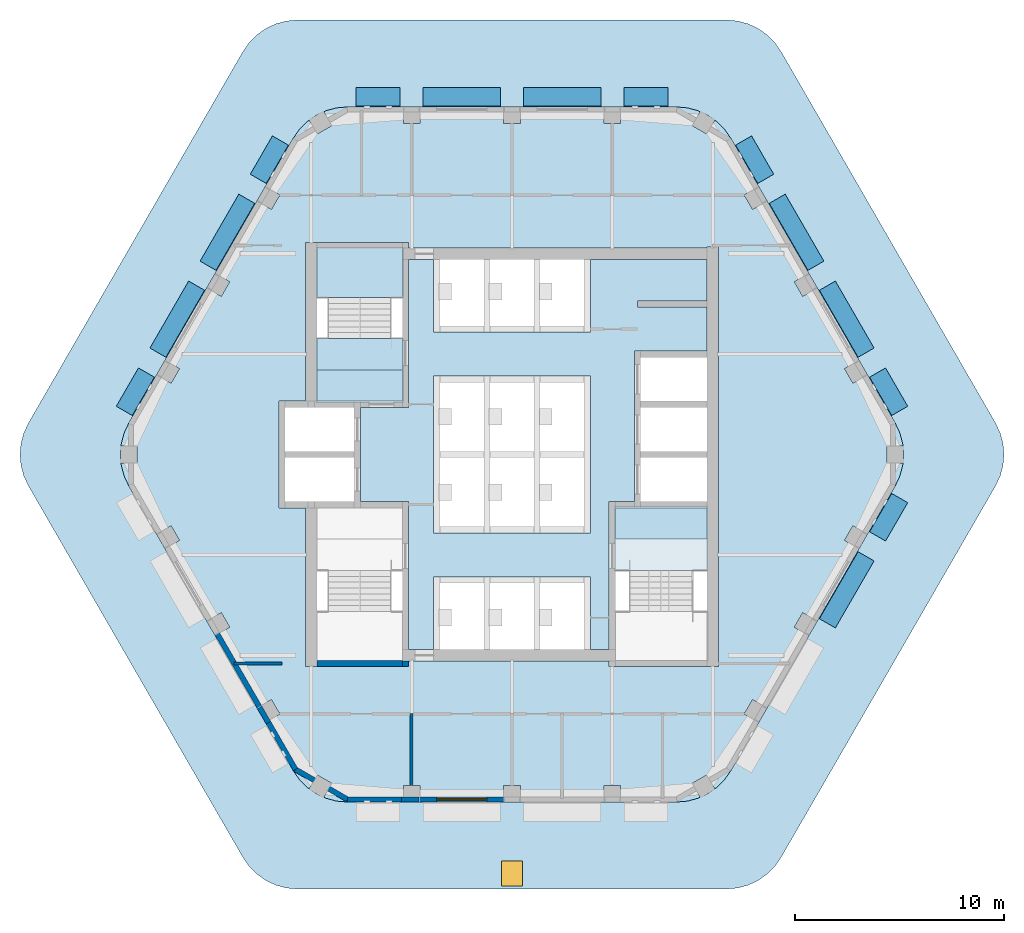
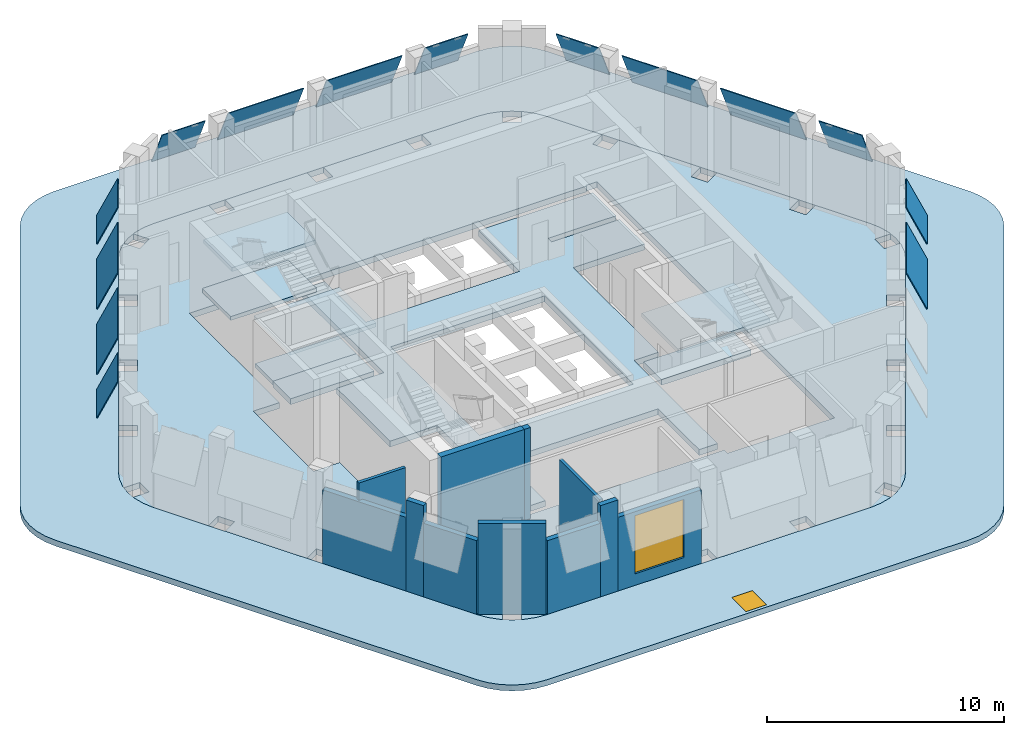
"""IFC4 building model written with IfcOpenShell, lengths in metres."""

from ifc_helpers import new_model, si_unit, direction, frame, frame_2d, origin, origin_2d, place, context, subcontext, project, spatial, polyline, rectangle, outline, extrude, material, layer, layer_set, type_object, element, fill, aggregate, save


model = new_model("IFC4")

# Units and contexts
model_context = context("Model", 3, precision=1e-05, world=origin(), true_north=direction((0.0, 1.0)))
body_context = subcontext(model_context, "Body", "Model", "MODEL_VIEW")
ifc_project = project(units=[si_unit("LENGTHUNIT", "METRE"), si_unit("AREAUNIT", "SQUARE_METRE"), si_unit("VOLUMEUNIT", "CUBIC_METRE"), si_unit("PLANEANGLEUNIT", "RADIAN"), si_unit("MASSUNIT", "GRAM", prefix="KILO")], contexts=[model_context])

# Site, building, storey
site_placement = place(None, origin())
site = spatial("IfcSite", under=ifc_project, at=site_placement, CompositionType="ELEMENT")
building_placement = place(site_placement, origin())
building = spatial("IfcBuilding", under=site, at=building_placement, Name="Kolab Exchange Tower", CompositionType="ELEMENT")
storey_1_placement = place(building_placement, frame((0.0, 0.0, 296.89990234375)))
storey_1 = spatial("IfcBuildingStorey", under=building, at=storey_1_placement, Name="L67", CompositionType="ELEMENT", Elevation=296.89990234375)

# Slabs
ifc_material_1 = material(Name="Concrete C35/45", Category="concrete")
ifc_layer_1 = layer(ifc_material_1, 0.300048828125)
ifc_layer_set_1 = layer_set([ifc_layer_1], Name="Concrete C35/45")
slab_type_1 = type_object("IfcSlabType", Name="FLOOR SLAB 300", PredefinedType="FLOOR", material=ifc_layer_set_1)
slab_1_placement = place(storey_1_placement, frame((0.0, 0.0, -0.2998046875)))
element("IfcSlab", 1, at=slab_1_placement, inside=storey_1, type_object=slab_type_1, Name="slab/L67/floor/0", PredefinedType="FLOOR", context=body_context, shape_type="SweptSolid", body=[
    extrude(outline(polyline([(18.6904296875, -0.52099609375), (18.700927734375, -0.39990234375), (17.935791015625, -0.39990234375), (17.935791015625, 0.39990234375), (18.700927734375, 0.39990234375), (18.6904296875, 0.52099609375), (18.554931640625, 1.026123046875), (18.333984375, 1.5), (17.0, 3.810546875), (16.30712890625, 3.410400390625), (15.9072265625, 4.103271484375), (16.60009765625, 4.50341796875), (14.60009765625, 7.967529296875), (13.9072265625, 7.5673828125), (13.507080078125, 8.26025390625), (14.199951171875, 8.66015625), (12.199951171875, 12.124267578125), (11.507080078125, 11.724365234375), (11.107177734375, 12.417236328125), (11.800048828125, 12.817138671875), (10.466064453125, 15.127685546875), (10.166015625, 15.55615234375), (9.79638671875, 15.92578125), (9.69677734375, 15.995361328125), (9.314453125, 15.3330078125), (8.62158203125, 15.73291015625), (9.004150390625, 16.3955078125), (8.89404296875, 16.44677734375), (8.388916015625, 16.58203125), (7.867919921875, 16.627685546875), (5.199951171875, 16.627685546875), (5.199951171875, 15.82763671875), (4.39990234375, 15.82763671875), (4.39990234375, 16.627685546875), (0.39990234375, 16.627685546875), (0.39990234375, 15.82763671875), (-0.39990234375, 15.82763671875), (-0.39990234375, 16.627685546875), (-4.39990234375, 16.627685546875), (-4.39990234375, 15.82763671875), (-5.199951171875, 15.82763671875), (-5.199951171875, 16.627685546875), (-7.867919921875, 16.627685546875), (-8.388916015625, 16.58203125), (-8.89404296875, 16.44677734375), (-9.004150390625, 16.3955078125), (-8.62158203125, 15.73291015625), (-9.314453125, 15.3330078125), (-9.69677734375, 15.995361328125), (-9.79638671875, 15.92578125), (-10.166015625, 15.55615234375), (-10.466064453125, 15.127685546875), (-11.800048828125, 12.817138671875), (-11.107177734375, 12.417236328125), (-11.507080078125, 11.724365234375), (-12.199951171875, 12.124267578125), (-14.199951171875, 8.66015625), (-13.507080078125, 8.26025390625), (-13.9072265625, 7.5673828125), (-14.60009765625, 7.967529296875), (-16.60009765625, 4.50341796875), (-15.9072265625, 4.103271484375), (-16.30712890625, 3.410400390625), (-17.0, 3.810546875), (-18.333984375, 1.5), (-18.554931640625, 1.026123046875), (-18.6904296875, 0.52099609375), (-18.700927734375, 0.39990234375), (-17.935791015625, 0.39990234375), (-17.935791015625, -0.39990234375), (-18.700927734375, -0.39990234375), (-18.6904296875, -0.52099609375), (-18.554931640625, -1.026123046875), (-18.333984375, -1.5), (-17.0, -3.810546875), (-16.30712890625, -3.410400390625), (-15.9072265625, -4.103271484375), (-16.60009765625, -4.50341796875), (-14.60009765625, -7.967529296875), (-13.9072265625, -7.5673828125), (-13.507080078125, -8.26025390625), (-14.199951171875, -8.66015625), (-12.199951171875, -12.124267578125), (-11.507080078125, -11.724365234375), (-11.107177734375, -12.417236328125), (-11.800048828125, -12.817138671875), (-10.466064453125, -15.127685546875), (-10.166015625, -15.55615234375), (-9.79638671875, -15.92578125), (-9.69677734375, -15.995361328125), (-9.314453125, -15.3330078125), (-8.62158203125, -15.73291015625), (-9.004150390625, -16.3955078125), (-8.89404296875, -16.44677734375), (-8.388916015625, -16.58203125), (-7.867919921875, -16.627685546875), (-5.199951171875, -16.627685546875), (-5.199951171875, -15.82763671875), (-4.39990234375, -15.82763671875), (-4.39990234375, -16.627685546875), (-0.39990234375, -16.627685546875), (-0.39990234375, -15.82763671875), (0.39990234375, -15.82763671875), (0.39990234375, -16.627685546875), (4.39990234375, -16.627685546875), (4.39990234375, -15.82763671875), (5.199951171875, -15.82763671875), (5.199951171875, -16.627685546875), (7.867919921875, -16.627685546875), (8.388916015625, -16.58203125), (8.89404296875, -16.44677734375), (9.004150390625, -16.3955078125), (8.62158203125, -15.73291015625), (9.314453125, -15.3330078125), (9.69677734375, -15.995361328125), (9.79638671875, -15.92578125), (10.166015625, -15.55615234375), (10.466064453125, -15.127685546875), (11.800048828125, -12.817138671875), (11.107177734375, -12.417236328125), (11.507080078125, -11.724365234375), (12.199951171875, -12.124267578125), (14.199951171875, -8.66015625), (13.507080078125, -8.26025390625), (13.9072265625, -7.5673828125), (14.60009765625, -7.967529296875), (16.60009765625, -4.50341796875), (15.9072265625, -4.103271484375), (16.30712890625, -3.410400390625), (17.0, -3.810546875), (18.333984375, -1.5), (18.554931640625, -1.026123046875), (18.6904296875, -0.52099609375)]), holes=[polyline([(-9.875, -2.550048828125), (-10.85009765625, -2.550048828125), (-11.14990234375, -2.550048828125), (-11.14990234375, 2.550048828125), (-10.85009765625, 2.550048828125), (-9.875, 2.550048828125), (-9.875, 10.14990234375), (-9.324951171875, 10.14990234375), (-5.25, 10.14990234375), (-4.949951171875, 10.14990234375), (-4.949951171875, 9.875), (9.324951171875, 9.875), (9.324951171875, 9.925048828125), (9.875, 9.925048828125), (9.875, -10.14990234375), (9.324951171875, -10.14990234375), (4.949951171875, -10.14990234375), (4.64990234375, -10.14990234375), (4.64990234375, -9.875), (-4.949951171875, -9.875), (-4.949951171875, -10.14990234375), (-5.25, -10.14990234375), (-9.324951171875, -10.14990234375), (-9.875, -10.14990234375), (-9.875, -2.550048828125)])]), origin(), (0.0, 0.0, 1.0), 0.2998046875),
])
slab_2_placement = place(storey_1_placement, frame((0.0, 0.0, -0.2998046875)))
element("IfcSlab", 2, at=slab_2_placement, inside=storey_1, type_object=slab_type_1, Name="slab/L67/floor/1", PredefinedType="FLOOR", context=body_context, shape_type="SweptSolid", body=[
    extrude(outline(polyline([(-4.949951171875, 9.324951171875), (-4.949951171875, 2.25), (-5.25, 2.25), (-7.25, 2.25), (-7.25, -2.25), (-5.25, -2.25), (-4.949951171875, -2.25), (-4.949951171875, -9.324951171875), (-3.75, -9.324951171875), (-3.75, -5.85009765625), (-3.449951171875, -5.85009765625), (-1.35009765625, -5.85009765625), (-1.050048828125, -5.85009765625), (1.050048828125, -5.85009765625), (1.35009765625, -5.85009765625), (3.449951171875, -5.85009765625), (3.75, -5.85009765625), (3.75, -9.324951171875), (4.64990234375, -9.324951171875), (4.64990234375, -2.25), (4.949951171875, -2.25), (5.85009765625, -2.25), (5.85009765625, 4.949951171875), (6.14990234375, 4.949951171875), (9.324951171875, 4.949951171875), (9.324951171875, 7.050048828125), (6.0, 7.050048828125), (6.0, 7.35009765625), (9.324951171875, 7.35009765625), (9.324951171875, 9.324951171875), (3.75, 9.324951171875), (3.75, 5.85009765625), (3.449951171875, 5.85009765625), (1.35009765625, 5.85009765625), (1.050048828125, 5.85009765625), (-1.050048828125, 5.85009765625), (-1.35009765625, 5.85009765625), (-3.449951171875, 5.85009765625), (-3.75, 5.85009765625), (-3.75, 9.324951171875), (-4.949951171875, 9.324951171875)]), holes=[polyline([(-1.35009765625, -3.75), (-3.449951171875, -3.75), (-3.75, -3.75), (-3.75, 3.75), (-3.449951171875, 3.75), (-1.35009765625, 3.75), (-1.050048828125, 3.75), (1.050048828125, 3.75), (1.35009765625, 3.75), (3.449951171875, 3.75), (3.75, 3.75), (3.75, -3.75), (3.449951171875, -3.75), (1.35009765625, -3.75), (1.050048828125, -3.75), (-1.050048828125, -3.75), (-1.35009765625, -3.75)])]), origin(), (0.0, 0.0, 1.0), 0.2998046875),
])
slab_3_placement = place(storey_1_placement, frame((0.0, 0.0, -0.2998046875)))
element("IfcSlab", 3, at=slab_3_placement, inside=storey_1, type_object=slab_type_1, Name="slab/L67/floor/2", PredefinedType="FLOOR", context=body_context, shape_type="SweptSolid", body=[
    extrude(outline(polyline([(4.949951171875, -4.050048828125), (9.324951171875, -4.050048828125), (9.324951171875, -2.550048828125), (6.14990234375, -2.550048828125), (5.85009765625, -2.550048828125), (4.949951171875, -2.550048828125), (4.949951171875, -4.050048828125)])), origin(), (0.0, 0.0, 1.0), 0.2998046875),
])
slab_4_placement = place(storey_1_placement, frame((0.0, 0.0, -0.2998046875)))
element("IfcSlab", 4, at=slab_4_placement, inside=storey_1, type_object=slab_type_1, Name="slab/L67/floor/4", PredefinedType="FLOOR", context=body_context, shape_type="SweptSolid", body=[
    extrude(outline(polyline([(-9.324951171875, 4.050048828125), (-9.324951171875, 2.550048828125), (-7.550048828125, 2.550048828125), (-7.25, 2.550048828125), (-5.25, 2.550048828125), (-5.25, 4.050048828125), (-9.324951171875, 4.050048828125)])), origin(), (0.0, 0.0, 1.0), 0.2998046875),
])

# Plates
ifc_material_2 = material(Name="Laminated glass, clear", Category="glass")
ifc_layer_2 = layer(ifc_material_2, 0.0400390625)
ifc_layer_set_2 = layer_set([ifc_layer_2], Name="Laminated glass, clear")
plate_type = type_object("IfcPlateType", Name="OUTER SKIN LAMINATED GLASS SHEET 40", PredefinedType="SHEET", material=ifc_layer_set_2)
plate_1_placement = place(storey_1_placement, frame((-7.468017578125, 17.54541015625, 2.527099609375), z_axis=(0.0, 0.906248928223, 0.422744461932), x_axis=(1.0, 0.0, 0.0)))
element("IfcPlate", 5, at=plate_1_placement, inside=storey_1, type_object=plate_type, Name="Outer skin", PredefinedType="SHEET", context=body_context, shape_type="SweptSolid", body=[
    extrude(outline(polyline([(0.0, 0.0), (2.117919921875, 0.0), (2.117919921875, -2.085401173196479), (0.0, -2.085401173196479), (0.0, 0.0)])), origin(), (0.0, 0.0, -1.0), 0.0400390625),
])
for number, where, z_axis, x_axis, name in (
    (6, (-4.25, 17.54541015625, 2.527099609375), (0.0, 0.906248928223, 0.422744461932), (1.0, 0.0, 0.0), "Outer skin"),
    (7, (0.550048828125, 17.54541015625, 2.527099609375), (0.0, 0.906248928223, 0.422744461932), (1.0, 0.0, 0.0), "Outer skin"),
):
    element("IfcPlate", number, at=place(storey_1_placement, frame(where, z_axis=z_axis, x_axis=x_axis)), inside=storey_1, type_object=plate_type, Name=name, PredefinedType="SHEET", context=body_context, shape_type="SweptSolid", body=[
        extrude(outline(polyline([(0.0, 0.0), (3.699951171875, 0.0), (3.699951171875, -2.085401173196479), (0.0, -2.085401173196479), (0.0, 0.0)])), origin(), (0.0, 0.0, -1.0), 0.0400390625),
    ])
plate_2_placement = place(storey_1_placement, frame((5.35009765625, 17.54541015625, 2.527099609375), z_axis=(0.0, 0.906248928223, 0.422744461932), x_axis=(1.0, 0.0, 0.0)))
element("IfcPlate", 8, at=plate_2_placement, inside=storey_1, type_object=plate_type, Name="Outer skin", PredefinedType="SHEET", context=body_context, shape_type="SweptSolid", body=[
    extrude(outline(polyline([(0.0, 0.0), (2.117919921875, 0.0), (2.117919921875, -2.085401173196479), (0.0, -2.085401173196479), (0.0, 0.0)])), origin(), (0.0, 0.0, -1.0), 0.0400390625),
])
plate_3_placement = place(storey_1_placement, frame((11.460693359375, 15.239990234375, 2.527099609375), z_axis=(0.784891112432, 0.45312116534, 0.422643054061), x_axis=(0.499974724637, -0.86603999596, -1.1039122e-05)))
element("IfcPlate", 9, at=plate_3_placement, inside=storey_1, type_object=plate_type, Name="Outer skin", PredefinedType="SHEET", context=body_context, shape_type="SweptSolid", body=[
    extrude(outline(polyline([(0.0, 0.0), (2.1176960035160506, 5.551115123125783e-17), (2.1179552295036137, -2.085318138685354), (4.779044167451096e-05, -2.085266547008332), (0.0, 0.0)])), origin(), (0.0, 0.0, -1.0), 0.0400390625),
])
plate_4_placement = place(storey_1_placement, frame((13.069580078125, 12.453125, 2.527099609375), z_axis=(0.784897489351, 0.453177384709, 0.42257092801), x_axis=(0.500013743233, -0.86601746898, 0.0)))
element("IfcPlate", 10, at=plate_4_placement, inside=storey_1, type_object=plate_type, Name="Outer skin", PredefinedType="SHEET", context=body_context, shape_type="SweptSolid", body=[
    extrude(outline(polyline([(0.0, 0.0), (3.7000936100046706, 1.1102230246251565e-16), (3.6999111277522783, -2.085214960370441), (-0.0001824822523921022, -2.085214960370441), (0.0, 0.0)])), origin(), (0.0, 0.0, -1.0), 0.0400390625),
])
plate_5_placement = place(storey_1_placement, frame((15.469482421875, 8.29638671875, 2.527099609375), z_axis=(0.784878071656, 0.453166173486, 0.422619015003), x_axis=(0.500013743233, -0.86601746898, 0.0)))
element("IfcPlate", 11, at=plate_5_placement, inside=storey_1, type_object=plate_type, Name="Outer skin", PredefinedType="SHEET", context=body_context, shape_type="SweptSolid", body=[
    extrude(outline(polyline([(0.0, 0.0), (3.7000936100046706, 1.1102230246251565e-16), (3.7001225577984163, -2.085266548088635), (2.8947793745559486e-05, -2.085266548088635), (0.0, 0.0)])), origin(), (0.0, 0.0, -1.0), 0.0400390625),
])
plate_6_placement = place(storey_1_placement, frame((17.86962890625, 4.139404296875, 2.527099609375), z_axis=(0.784874443197, 0.453133621372, 0.422660655371), x_axis=(0.499996260511, -0.866027562557, -1.9119215e-05)))
element("IfcPlate", 12, at=plate_6_placement, inside=storey_1, type_object=plate_type, Name="Outer skin", PredefinedType="SHEET", context=body_context, shape_type="SweptSolid", body=[
    extrude(outline(polyline([(0.0, 0.0), (2.1180295057597727, 1.1102230246251565e-16), (2.1179180413926417, -2.085355908149832), (1.0605032407880244e-05, -2.0852665460615505), (0.0, 0.0)])), origin(), (0.0, 0.0, -1.0), 0.0400390625),
])
plate_7_placement = place(storey_1_placement, frame((18.9287109375, -2.30517578125, 2.527099609375), z_axis=(0.784874443197, -0.453133621372, 0.422660655371), x_axis=(-0.499996260511, -0.866027562557, 1.9119215e-05)))
element("IfcPlate", 13, at=plate_7_placement, inside=storey_1, type_object=plate_type, Name="Outer skin", PredefinedType="SHEET", context=body_context, shape_type="SweptSolid", body=[
    extrude(outline(polyline([(0.0, 0.0), (2.1180295057597727, -1.1102230246251565e-16), (2.1180189007273644, -2.085266546061551), (0.00011146436713102415, -2.085355908149832), (0.0, 0.0)])), origin(), (0.0, 0.0, -1.0), 0.0400390625),
])
plate_8_placement = place(storey_1_placement, frame((17.319580078125, -5.092041015625, 2.527099609375), z_axis=(0.784878071656, -0.453166173486, 0.422619015003), x_axis=(-0.500013743233, -0.86601746898, 0.0)))
element("IfcPlate", 14, at=plate_8_placement, inside=storey_1, type_object=plate_type, Name="Outer skin", PredefinedType="SHEET", context=body_context, shape_type="SweptSolid", body=[
    extrude(outline(polyline([(0.0, 0.0), (3.7000936100046706, -1.1102230246251565e-16), (3.7000646622109254, -2.0852665480886357), (-2.8947793745559486e-05, -2.085266548088635), (0.0, 0.0)])), origin(), (0.0, 0.0, -1.0), 0.0400390625),
])
plate_9_placement = place(storey_1_placement, frame((-18.9287109375, 2.30517578125, 2.527099609375), z_axis=(-0.784874443197, 0.453133621372, 0.422660655371), x_axis=(0.499996260511, 0.866027562557, 1.9119215e-05)))
element("IfcPlate", 15, at=plate_9_placement, inside=storey_1, type_object=plate_type, Name="Outer skin", PredefinedType="SHEET", context=body_context, shape_type="SweptSolid", body=[
    extrude(outline(polyline([(0.0, 0.0), (2.1180295057597727, -1.1102230246251565e-16), (2.1180189007273644, -2.085266546061551), (0.00011146436713102415, -2.085355908149832), (0.0, 0.0)])), origin(), (0.0, 0.0, -1.0), 0.0400390625),
])
plate_10_placement = place(storey_1_placement, frame((-17.319580078125, 5.092041015625, 2.527099609375), z_axis=(-0.784878071656, 0.453166173486, 0.422619015003), x_axis=(0.500013743233, 0.86601746898, 0.0)))
element("IfcPlate", 16, at=plate_10_placement, inside=storey_1, type_object=plate_type, Name="Outer skin", PredefinedType="SHEET", context=body_context, shape_type="SweptSolid", body=[
    extrude(outline(polyline([(0.0, 0.0), (3.7000936100046706, -1.1102230246251565e-16), (3.7000646622109254, -2.0852665480886357), (-2.8947793745559486e-05, -2.085266548088635), (0.0, 0.0)])), origin(), (0.0, 0.0, -1.0), 0.0400390625),
])
plate_11_placement = place(storey_1_placement, frame((-14.919677734375, 9.248779296875, 2.527099609375), z_axis=(-0.784897489351, 0.453177384709, 0.42257092801), x_axis=(0.500013743233, 0.86601746898, 0.0)))
element("IfcPlate", 17, at=plate_11_placement, inside=storey_1, type_object=plate_type, Name="Outer skin", PredefinedType="SHEET", context=body_context, shape_type="SweptSolid", body=[
    extrude(outline(polyline([(0.0, 0.0), (3.7000936100046706, -1.1102230246251565e-16), (3.700276092257063, -2.085214960370441), (0.0001824822523921022, -2.085214960370441), (0.0, 0.0)])), origin(), (0.0, 0.0, -1.0), 0.0400390625),
])
plate_12_placement = place(storey_1_placement, frame((-12.51953125, 13.406005859375, 2.527099609375), z_axis=(-0.784891112432, 0.45312116534, 0.422643054061), x_axis=(0.499974724637, 0.86603999596, 1.1039122e-05)))
element("IfcPlate", 18, at=plate_12_placement, inside=storey_1, type_object=plate_type, Name="Outer skin", PredefinedType="SHEET", context=body_context, shape_type="SweptSolid", body=[
    extrude(outline(polyline([(0.0, 0.0), (2.1176960035160506, -5.551115123125783e-17), (2.117648213074376, -2.085266547008332), (-0.0002592259875631051, -2.085318138685354), (0.0, 0.0)])), origin(), (0.0, 0.0, -1.0), 0.0400390625),
])

# Slab, opening
ifc_material_3 = material(Name="Concrete C50/60", Category="concrete")
ifc_layer_3 = layer(ifc_material_3, 0.300048828125)
ifc_layer_set_3 = layer_set([ifc_layer_3], Name="Concrete C50/60")
slab_type_2 = type_object("IfcSlabType", Name="ROOF SLAB 300 OVER TOP FLOOR RING", PredefinedType="ROOF", material=ifc_layer_set_3)
slab_5_placement = place(storey_1_placement, frame((0.0, 0.0, -0.2998046875)))
slab_5 = element("IfcSlab", 19, at=slab_5_placement, inside=storey_1, type_object=slab_type_2, Name="Roof slab over the top floor ring", PredefinedType="ROOF", context=body_context, shape_type="SweptSolid", body=[
    extrude(outline(polyline([(12.865966796875, -19.28466796875), (12.566162109375, -19.712890625), (12.1962890625, -20.082763671875), (11.76806640625, -20.382568359375), (11.2939453125, -20.603759765625), (10.788818359375, -20.739013671875), (10.26806640625, -20.78466796875), (-10.26806640625, -20.78466796875), (-10.788818359375, -20.739013671875), (-11.2939453125, -20.603759765625), (-11.76806640625, -20.382568359375), (-12.1962890625, -20.082763671875), (-12.566162109375, -19.712890625), (-12.865966796875, -19.28466796875), (-23.134033203125, -1.5), (-23.35498046875, -1.026123046875), (-23.490234375, -0.52099609375), (-23.535888671875, 0.0), (-23.490234375, 0.52099609375), (-23.35498046875, 1.026123046875), (-23.134033203125, 1.5), (-12.865966796875, 19.28466796875), (-12.566162109375, 19.712890625), (-12.1962890625, 20.082763671875), (-11.76806640625, 20.382568359375), (-11.2939453125, 20.603759765625), (-10.788818359375, 20.739013671875), (-10.26806640625, 20.78466796875), (10.26806640625, 20.78466796875), (10.788818359375, 20.739013671875), (11.2939453125, 20.603759765625), (11.76806640625, 20.382568359375), (12.1962890625, 20.082763671875), (12.566162109375, 19.712890625), (12.865966796875, 19.28466796875), (23.134033203125, 1.5), (23.35498046875, 1.026123046875), (23.490234375, 0.52099609375), (23.535888671875, 0.0), (23.490234375, -0.52099609375), (23.35498046875, -1.026123046875), (23.134033203125, -1.5), (12.865966796875, -19.28466796875)]), holes=[polyline([(18.554931640625, -1.026123046875), (18.6904296875, -0.52099609375), (18.73583984375, 0.0), (18.6904296875, 0.52099609375), (18.554931640625, 1.026123046875), (18.333984375, 1.5), (10.466064453125, 15.127685546875), (10.166015625, 15.55615234375), (9.79638671875, 15.92578125), (9.367919921875, 16.225830078125), (8.89404296875, 16.44677734375), (8.388916015625, 16.58203125), (7.867919921875, 16.627685546875), (-7.867919921875, 16.627685546875), (-8.388916015625, 16.58203125), (-8.89404296875, 16.44677734375), (-9.367919921875, 16.225830078125), (-9.79638671875, 15.92578125), (-10.166015625, 15.55615234375), (-10.466064453125, 15.127685546875), (-18.333984375, 1.5), (-18.554931640625, 1.026123046875), (-18.6904296875, 0.52099609375), (-18.73583984375, 0.0), (-18.6904296875, -0.52099609375), (-18.554931640625, -1.026123046875), (-18.333984375, -1.5), (-10.466064453125, -15.127685546875), (-10.166015625, -15.55615234375), (-9.79638671875, -15.92578125), (-9.367919921875, -16.225830078125), (-8.89404296875, -16.44677734375), (-8.388916015625, -16.58203125), (-7.867919921875, -16.627685546875), (7.867919921875, -16.627685546875), (8.388916015625, -16.58203125), (8.89404296875, -16.44677734375), (9.367919921875, -16.225830078125), (9.79638671875, -15.92578125), (10.166015625, -15.55615234375), (10.466064453125, -15.127685546875), (18.333984375, -1.5), (18.554931640625, -1.026123046875)])]), origin(), (0.0, 0.0, 1.0), 0.2998046875),
])
opening_1_placement = place(slab_5_placement, frame((0.0, -20.03466796875, 0.0)))
opening_1 = element("IfcOpeningElement", 20, at=opening_1_placement, cuts=slab_5, Name="Opening RH1-001", PredefinedType="OPENING", context=body_context, shape_type="SweptSolid", body=[
    extrude(rectangle(XDim=1.0, YDim=1.199951171875, at=origin_2d()), origin(), (0.0, 0.0, 1.0), 0.2998046875),
])

# Storey
storey_2_placement = place(building_placement, frame((0.0, 0.0, 293.0)))
storey_2 = spatial("IfcBuildingStorey", under=building, at=storey_2_placement, Name="L66", CompositionType="ELEMENT", Elevation=293.0)

# Window
ifc_material_4 = material(Name="Aluminium EN AW-6063 T6", Category="aluminium")
window_type_1 = type_object("IfcWindowType", Name="ROOF ACCESS HATCH 1000 X 1200", PartitioningType="SINGLE_PANEL", PredefinedType="SKYLIGHT", material=ifc_material_4)
window_1_placement = place(opening_1_placement, frame((0.0, 0.0, 0.249755859375)))
window_1 = element("IfcWindow", 21, at=window_1_placement, inside=storey_2, type_object=window_type_1, Name="Roof access hatch", OverallHeight=1.199951171875, OverallWidth=1.0, PartitioningType="SINGLE_PANEL", PredefinedType="SKYLIGHT", context=body_context, shape_type="SweptSolid", body=[
    extrude(rectangle(XDim=1.0, YDim=1.199951171875, at=origin_2d()), origin(), (0.0, 0.0, 1.0), 0.050048828125),
])

fill(opening_1, window_1)

# Stair, slabs
stair_type_1 = type_object("IfcStairType", Name="STAIR ST1 RISER 156.2", PredefinedType="DOUBLE_RETURN_STAIR", material=ifc_material_3)
stair_1_placement = place(storey_1_placement, origin())
stair_1 = element("IfcStair", 22, at=stair_1_placement, inside=storey_1, type_object=stair_type_1, Name="Stair 1", PredefinedType="DOUBLE_RETURN_STAIR")
ifc_layer_4 = layer(ifc_material_3, 0.199951171875)
ifc_layer_set_4 = layer_set([ifc_layer_4], Name="Concrete C50/60")
slab_type_3 = type_object("IfcSlabType", Name="STAIR LANDING 200", PredefinedType="LANDING", material=ifc_layer_set_4)
slab_6_placement = place(storey_1_placement, frame((0.0, 0.0, -0.199951171875)))
slab_6 = element("IfcSlab", 23, at=slab_6_placement, type_object=slab_type_3, Name="ST1 landing 1", PredefinedType="LANDING", context=body_context, shape_type="SweptSolid", body=[
    extrude(outline(polyline([(-9.324951171875, 4.050048828125), (-5.25, 4.050048828125), (-5.25, 5.550048828125), (-9.324951171875, 5.550048828125), (-9.324951171875, 4.050048828125)])), origin(), (0.0, 0.0, 1.0), 0.199951171875),
])
slab_7_placement = place(storey_1_placement, frame((0.0, 0.0, 1.050048828125)))
slab_7 = element("IfcSlab", 24, at=slab_7_placement, type_object=slab_type_3, Name="ST1 landing 2", PredefinedType="LANDING", context=body_context, shape_type="SweptSolid", body=[
    extrude(outline(polyline([(-9.385009765625, 7.510009765625), (-5.18994140625, 7.510009765625), (-5.18994140625, 9.909912109375), (-9.385009765625, 9.909912109375), (-9.385009765625, 7.510009765625)])), origin(), (0.0, 0.0, 1.0), 0.199951171875),
])
slab_8_placement = place(storey_1_placement, frame((0.0, 0.0, 2.300048828125)))
slab_8 = element("IfcSlab", 25, at=slab_8_placement, type_object=slab_type_3, Name="ST1 landing 3", PredefinedType="LANDING", context=body_context, shape_type="SweptSolid", body=[
    extrude(outline(polyline([(-9.385009765625, 2.489990234375), (-5.18994140625, 2.489990234375), (-5.18994140625, 5.550048828125), (-9.385009765625, 5.550048828125), (-9.385009765625, 2.489990234375)])), origin(), (0.0, 0.0, 1.0), 0.199951171875),
])
slab_9_placement = place(storey_1_placement, frame((0.0, 0.0, 3.550048828125)))
slab_9 = element("IfcSlab", 26, at=slab_9_placement, type_object=slab_type_3, Name="ST1 landing 4", PredefinedType="LANDING", context=body_context, shape_type="SweptSolid", body=[
    extrude(outline(polyline([(-9.324951171875, 7.510009765625), (-5.25, 7.510009765625), (-5.25, 9.909912109375), (-9.324951171875, 9.909912109375), (-9.324951171875, 7.510009765625)])), origin(), (0.0, 0.0, 1.0), 0.199951171875),
])
aggregate(stair_1, [slab_6, slab_7, slab_8, slab_9])

# Stair, slab
stair_type_2 = type_object("IfcStairType", Name="STAIR ST2 RISER 156.2", PredefinedType="DOUBLE_RETURN_STAIR", material=ifc_material_3)
stair_2_placement = place(storey_1_placement, origin())
stair_2 = element("IfcStair", 27, at=stair_2_placement, inside=storey_1, type_object=stair_type_2, Name="Stair 2", PredefinedType="DOUBLE_RETURN_STAIR")
slab_10_placement = place(storey_1_placement, frame((0.0, 0.0, 2.300048828125)))
slab_10 = element("IfcSlab", 28, at=slab_10_placement, type_object=slab_type_3, Name="ST2 landing 3", PredefinedType="LANDING", context=body_context, shape_type="SweptSolid", body=[
    extrude(outline(polyline([(4.889892578125, -5.550048828125), (9.385009765625, -5.550048828125), (9.385009765625, -2.489990234375), (4.889892578125, -2.489990234375), (4.889892578125, -5.550048828125)])), origin(), (0.0, 0.0, 1.0), 0.199951171875),
])
aggregate(stair_2, [slab_10])

# Wall, opening, window
ifc_layer_5 = layer(ifc_material_4, 0.25)
ifc_layer_set_5 = layer_set([ifc_layer_5], Name="Aluminium EN AW-6063 T6")
wall_type_1 = type_object("IfcWallType", Name="CROWN CLADDING WALL 250", PredefinedType="SOLIDWALL", material=ifc_layer_set_5)
wall_1_placement = place(storey_1_placement, frame((-0.360107421875, -16.502685546875, 0.0), z_axis=(0.0, 0.0, 1.0), x_axis=(-1.0, 0.0, 0.0)))
wall_1 = element("IfcWall", 29, at=wall_1_placement, inside=storey_1, type_object=wall_type_1, Name="Crown cladding wall", PredefinedType="SOLIDWALL", context=body_context, shape_type="SweptSolid", body=[
    extrude(rectangle(XDim=4.079833984375, YDim=0.25, at=frame_2d((2.0400390625, 0.0))), origin(), (0.0, 0.0, 1.0), 3.800048828125),
])
opening_2_placement = place(wall_1_placement, frame((0.840087890625, 0.0, 0.60009765625)))
opening_2 = element("IfcOpeningElement", 30, at=opening_2_placement, cuts=wall_1, Name="Opening W10-005", PredefinedType="OPENING", context=body_context, shape_type="SweptSolid", body=[
    extrude(rectangle(XDim=2.39990234375, YDim=3.0, at=frame_2d((1.199951171875, 1.5))), frame((0.0, 0.135009765625, 0.0), z_axis=(0.0, -1.0, 0.0), x_axis=(1.0, 0.0, 0.0)), (0.0, 0.0, 1.0), 0.27001953125),
])
window_type_2 = type_object("IfcWindowType", Name="CROWN WINDOW 2400 X 3000", PartitioningType="SINGLE_PANEL", PredefinedType="WINDOW", material=ifc_material_4)
window_2_placement = place(opening_2_placement, origin())
window_2 = element("IfcWindow", 31, at=window_2_placement, inside=storey_1, type_object=window_type_2, Name="Crown window", OverallHeight=3.0, OverallWidth=2.39990234375, PartitioningType="SINGLE_PANEL", PredefinedType="WINDOW", context=body_context, shape_type="SweptSolid", body=[
    extrude(rectangle(XDim=2.39990234375, YDim=3.0, at=frame_2d((1.199951171875, 1.5))), frame((0.0, 0.030029296875, 0.0), z_axis=(0.0, -1.0, 0.0), x_axis=(1.0, 0.0, 0.0)), (0.0, 0.0, 1.0), 0.06005859375),
])
fill(opening_2, window_2)

# Walls
wall_2_placement = place(storey_1_placement, frame((-4.43994140625, -16.502685546875, 0.0), z_axis=(0.0, 0.0, 1.0), x_axis=(-1.0, 0.0, 0.0)))
element("IfcWall", 32, at=wall_2_placement, inside=storey_1, type_object=wall_type_1, Name="Crown cladding wall", PredefinedType="SOLIDWALL", context=body_context, shape_type="SweptSolid", body=[
    extrude(rectangle(XDim=0.84716796875, YDim=0.25, at=frame_2d((0.423583984375, 0.0))), origin(), (0.0, 0.0, 1.0), 4.7001953125),
])
wall_3_placement = place(storey_1_placement, frame((-5.287109375, -16.502685546875, 0.0), z_axis=(0.0, 0.0, 1.0), x_axis=(-1.0, 0.0, 0.0)))
element("IfcWall", 33, at=wall_3_placement, inside=storey_1, type_object=wall_type_1, Name="Crown cladding wall", PredefinedType="SOLIDWALL", context=body_context, shape_type="SweptSolid", body=[
    extrude(rectangle(XDim=2.580810546875, YDim=0.25, at=frame_2d((1.29052734375, 0.0))), origin(), (0.0, 0.0, 1.0), 3.800048828125),
])
wall_4_placement = place(storey_1_placement, frame((-7.867919921875, -16.502685546875, 0.0), z_axis=(0.0, 0.0, 1.0), x_axis=(-0.866018712932, 0.500011588718, 0.0)))
element("IfcWall", 34, at=wall_4_placement, inside=storey_1, type_object=wall_type_1, Name="Crown cladding wall", PredefinedType="SOLIDWALL", context=body_context, shape_type="SweptSolid", body=[
    extrude(rectangle(XDim=2.875, YDim=0.25, at=frame_2d((1.4375, 0.0))), origin(), (0.0, 0.0, 1.0), 4.7001953125),
])
wall_5_placement = place(storey_1_placement, frame((-10.357666015625, -15.065185546875, 0.0), z_axis=(0.0, 0.0, 1.0), x_axis=(-0.500025418611, 0.866010727845, 0.0)))
element("IfcWall", 35, at=wall_5_placement, inside=storey_1, type_object=wall_type_1, Name="Crown cladding wall", PredefinedType="SOLIDWALL", context=body_context, shape_type="SweptSolid", body=[
    extrude(rectangle(XDim=2.580810546875, YDim=0.25, at=frame_2d((1.29052734375, 0.0))), origin(), (0.0, 0.0, 1.0), 3.800048828125),
])
wall_6_placement = place(storey_1_placement, frame((-11.648193359375, -12.830078125, 0.0), z_axis=(0.0, 0.0, 1.0), x_axis=(-0.500013496215, 0.866017611601, 0.0)))
element("IfcWall", 36, at=wall_6_placement, inside=storey_1, type_object=wall_type_1, Name="Crown cladding wall", PredefinedType="SOLIDWALL", context=body_context, shape_type="SweptSolid", body=[
    extrude(rectangle(XDim=0.84716796875, YDim=0.25, at=frame_2d((0.423583984375, 0.0))), origin(), (0.0, 0.0, 1.0), 4.7001953125),
])
wall_7_placement = place(storey_1_placement, frame((-12.07177734375, -12.096435546875, 0.0), z_axis=(0.0, 0.0, 1.0), x_axis=(-0.500026340207, 0.866010195725, 0.0)))
element("IfcWall", 37, at=wall_7_placement, inside=storey_1, type_object=wall_type_1, Name="Crown cladding wall", PredefinedType="SOLIDWALL", context=body_context, shape_type="SweptSolid", body=[
    extrude(rectangle(XDim=4.079833984375, YDim=0.25, at=frame_2d((2.0400390625, 0.0))), origin(), (0.0, 0.0, 1.0), 3.800048828125),
])
ifc_material_5 = material(Name="Gypsum board", Category="gypsum")
ifc_layer_6 = layer(ifc_material_5, 0.14990234375)
ifc_layer_set_6 = layer_set([ifc_layer_6], Name="Gypsum board")
wall_type_2 = type_object("IfcWallType", Name="PARTITION 150 FIRE-RATED", PredefinedType="PARTITIONING", material=ifc_layer_set_6)
wall_8_placement = place(storey_1_placement, frame((-4.800048828125, -15.82763671875, 0.0), z_axis=(0.0, 0.0, 1.0), x_axis=(0.0, 1.0, 0.0)))
element("IfcWall", 38, at=wall_8_placement, inside=storey_1, type_object=wall_type_2, Name="Partition 005", PredefinedType="PARTITIONING", context=body_context, shape_type="SweptSolid", body=[
    extrude(rectangle(XDim=3.427734375, YDim=0.14990234375, at=frame_2d((1.7138671875, 0.0))), origin(), (0.0, 0.0, 1.0), 4.39013671875),
])
wall_9_placement = place(storey_1_placement, frame((-13.287841796875, -10.0, 0.0), z_axis=(0.0, 0.0, 1.0), x_axis=(1.0, 0.0, 0.0)))
element("IfcWall", 39, at=wall_9_placement, inside=storey_1, type_object=wall_type_2, Name="Partition 009", PredefinedType="PARTITIONING", context=body_context, shape_type="SweptSolid", body=[
    extrude(rectangle(XDim=2.287841796875, YDim=0.14990234375, at=frame_2d((1.14404296875, 0.0))), origin(), (0.0, 0.0, 1.0), 4.7001953125),
])
ifc_layer_7 = layer(ifc_material_3, 0.300048828125)
ifc_layer_set_7 = layer_set([ifc_layer_7], Name="Concrete C50/60")
wall_type_3 = type_object("IfcWallType", Name="STAIR ENCLOSURE WALL 300 C50/60", PredefinedType="STANDARD", material=ifc_layer_set_7)
wall_10_placement = place(storey_1_placement, frame((-9.324951171875, -10.0, -0.2998046875), z_axis=(0.0, 0.0, 1.0), x_axis=(1.0, 0.0, 0.0)))
element("IfcWall", 40, at=wall_10_placement, inside=storey_1, type_object=wall_type_3, Name="wall/L67/core/000", PredefinedType="STANDARD", context=body_context, shape_type="SweptSolid", body=[
    extrude(rectangle(XDim=4.074951171875, YDim=0.300048828125, at=frame_2d((2.03759765625, 0.0))), origin(), (0.0, 0.0, 1.0), 5.0),
])
wall_11_placement = place(storey_1_placement, frame((-5.10009765625, -10.14990234375, -0.2998046875), z_axis=(0.0, 0.0, 1.0), x_axis=(0.0, 1.0, 0.0)))
element("IfcWall", 41, at=wall_11_placement, inside=storey_1, type_object=wall_type_3, Name="wall/L67/core/039", PredefinedType="STANDARD", context=body_context, shape_type="SweptSolid", body=[
    extrude(rectangle(XDim=0.27490234375, YDim=0.300048828125, at=frame_2d((0.137451171875, 0.0))), origin(), (0.0, 0.0, 1.0), 5.0),
])

save(model, "model.ifc")
